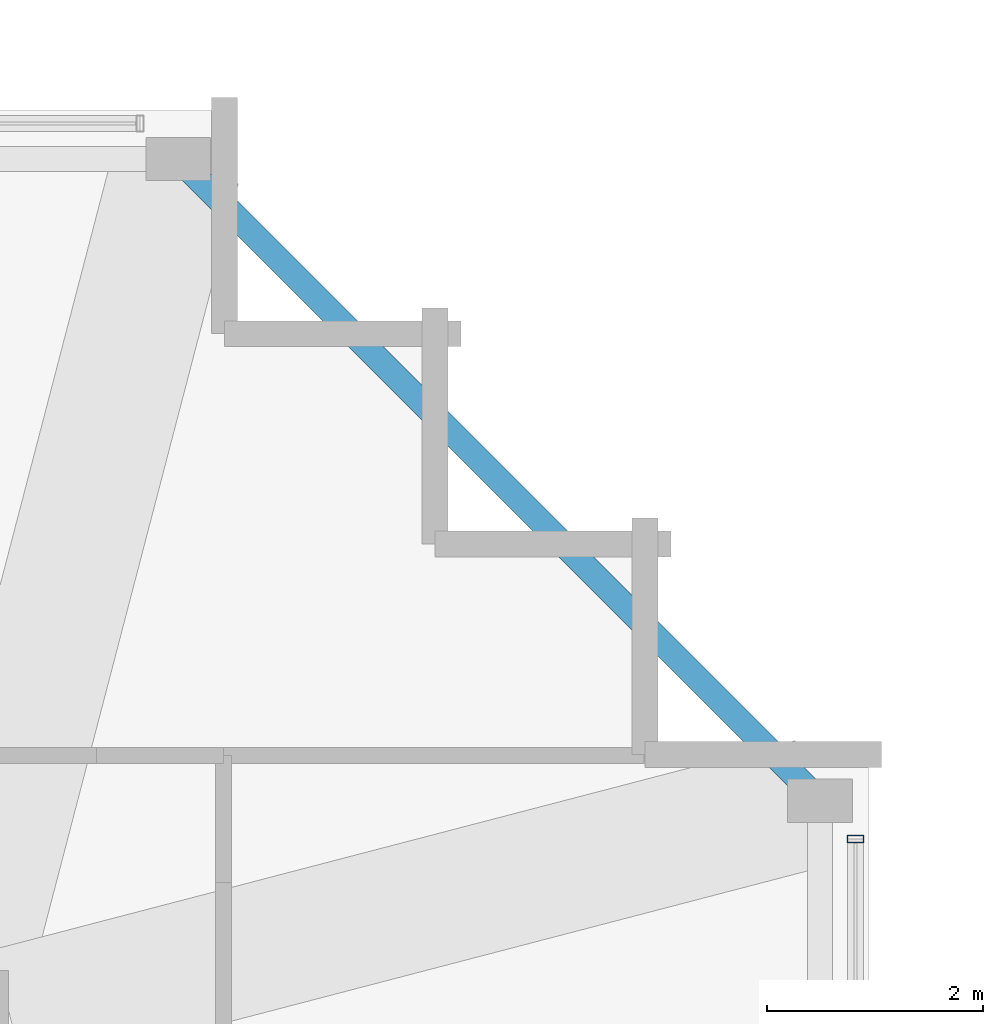
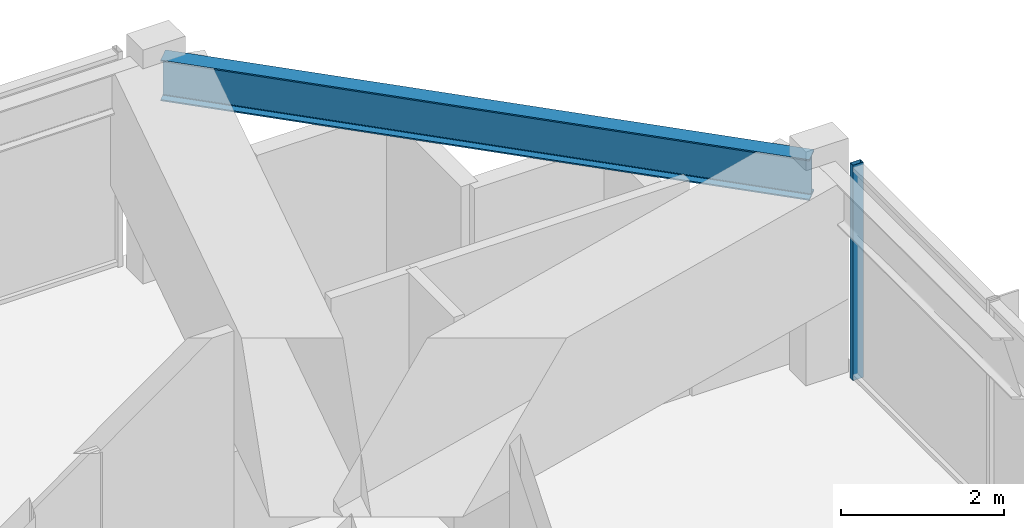
# One storey, part 19 of 30: 1 beam, 1 member, 1 element without a shape of its own.
"""IFC4 building model written with IfcOpenShell, lengths in metres."""

from ifc_helpers import new_model, si_unit, direction, frame, origin, origin_2d, place, context, subcontext, project, spatial, hollow_rectangle, i_section, extrude, material, material_profile, profile_set, type_object, element, aggregate, save


model = new_model("IFC4")

# Units and contexts
model_context = context("Model", 3, precision=1e-05, world=origin(), true_north=direction((0.0, 1.0)))
body_context = subcontext(model_context, "Body", "Model", "MODEL_VIEW")
ifc_project = project(units=[si_unit("LENGTHUNIT", "METRE"), si_unit("AREAUNIT", "SQUARE_METRE"), si_unit("VOLUMEUNIT", "CUBIC_METRE"), si_unit("PLANEANGLEUNIT", "RADIAN"), si_unit("MASSUNIT", "GRAM", prefix="KILO")], contexts=[model_context])

# Site, building, storey
site_placement = place(None, origin())
site = spatial("IfcSite", under=ifc_project, at=site_placement, CompositionType="ELEMENT")
building_placement = place(site_placement, origin())
building = spatial("IfcBuilding", under=site, at=building_placement, Name="Kolvaren Belvedere", CompositionType="ELEMENT")
storey_placement = place(building_placement, frame((0.0, 0.0, 254.89990234375)))
storey = spatial("IfcBuildingStorey", under=building, at=storey_placement, Name="L74", CompositionType="ELEMENT", Elevation=254.89990234375)

# Beam
ifc_material_1 = material(Name="Structural steel ASTM A992 Grade 50", Category="steel")
ifc_material_profile_1 = material_profile(ifc_material_1, i_section(OverallWidth=0.22900390625, OverallDepth=0.612060546875, WebThickness=0.011962890625, FlangeThickness=0.01953125, FilletRadius=0.01806640625, at=origin_2d()), Name="W24X84")
ifc_profile_set_1 = profile_set([ifc_material_profile_1], Name="Structural steel ASTM A992 Grade 50")
beam_type = type_object("IfcBeamType", Name="BM-SPAN-W24X84", PredefinedType="SPANDREL", material=ifc_profile_set_1)
beam_placement = place(storey_placement, frame((17.886474609375, 12.063720703125, 2.9140625), z_axis=(-0.707106781187, 0.707106781187, 0.0), x_axis=(-0.707106781187, -0.707106781187, 0.0)))
element("IfcBeam", 1, at=beam_placement, inside=storey, type_object=beam_type, Name="L74 Perimeter Spandrel E4-N4", PredefinedType="SPANDREL", context=body_context, shape_type="SweptSolid", body=[
    extrude(i_section(OverallWidth=0.22900390625, OverallDepth=0.612060546875, WebThickness=0.011962890625, FlangeThickness=0.01953125, FilletRadius=0.01806640625, at=origin_2d()), origin(), (0.0, 0.0, 1.0), 8.234619140625),
])

# Curtain wall, member
ifc_material_2 = material(Name="Anodised pale-metal aluminium AA 6063-T6", Category="aluminium")
curtain_wall_type = type_object("IfcCurtainWallType", Name="CW-Z5-HIGH", PredefinedType="NOTDEFINED", material=ifc_material_2)
curtain_wall_placement = place(storey_placement, origin())
curtain_wall = element("IfcCurtainWall", 2, at=curtain_wall_placement, inside=storey, type_object=curtain_wall_type, Name="L74 Unitised Curtain Wall FCW-L74-E-B1", PredefinedType="NOTDEFINED")
ifc_material_3 = material(Name="Anodised pale-metal aluminium AA 6063-T6", Category="aluminium")
ifc_material_profile_2 = material_profile(ifc_material_3, hollow_rectangle(XDim=0.070068359375, YDim=0.14990234375, WallThickness=0.004150390625, at=origin_2d()), Name="ALU-MUL-150X70")
ifc_profile_set_2 = profile_set([ifc_material_profile_2], Name="Anodised pale-metal aluminium AA 6063-T6")
member_type = type_object("IfcMemberType", Name="CW-MUL-150", PredefinedType="MULLION", material=ifc_profile_set_2)
member_placement = place(storey_placement, frame((18.280029296875, 11.64501953125, 0.0), z_axis=(0.0, 0.0, 1.0), x_axis=(0.0, 1.0, 0.0)))
member = element("IfcMember", 3, at=member_placement, type_object=member_type, Name="FCW-L74-E-B1 Unitised Mullion 1", PredefinedType="MULLION", context=body_context, shape_type="SweptSolid", body=[
    extrude(hollow_rectangle(XDim=0.070068359375, YDim=0.14990234375, WallThickness=0.004150390625, at=origin_2d()), origin(), (0.0, 0.0, 1.0), 3.22021484375),
])
aggregate(curtain_wall, [member])

save(model, "model.ifc")
